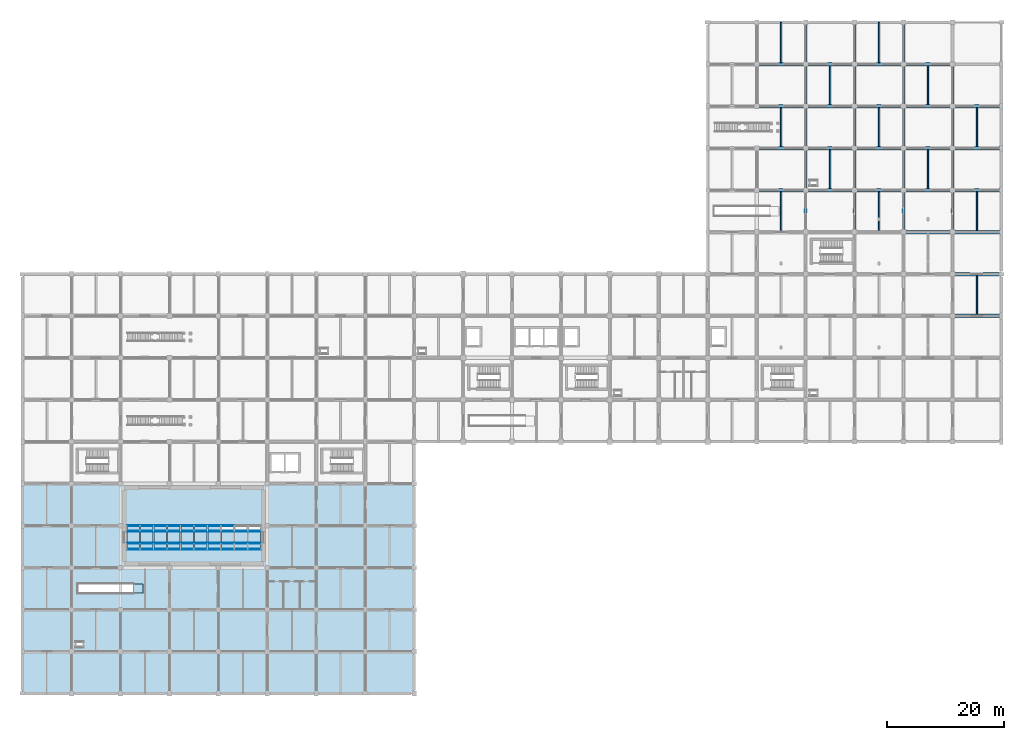
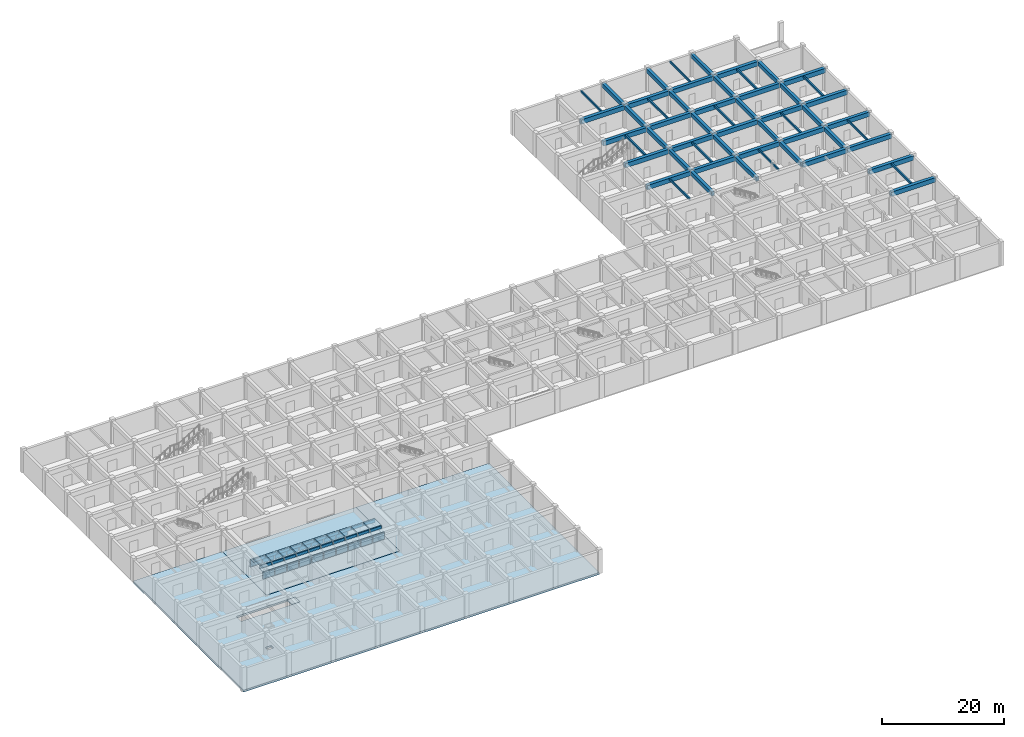
# One storey, part 13 of 32: 65 plates, 55 beams, 3 slabs.
"""IFC4 building model written with IfcOpenShell, lengths in metres."""

from ifc_helpers import new_model, si_unit, derived_unit, direction, frame, origin, origin_2d, place, context, subcontext, project, spatial, polyline, rectangle, outline, extrude, material, layer, layer_set, material_profile, profile_set, type_object, element, save


model = new_model("IFC4")

# Units and contexts
model_context = context("Model", 3, precision=1e-05, world=origin(), true_north=direction((0.0, 1.0)))
body_context = subcontext(model_context, "Body", "Model", "MODEL_VIEW")
ifc_project = project(units=[si_unit("LENGTHUNIT", "METRE"), si_unit("AREAUNIT", "SQUARE_METRE"), si_unit("VOLUMEUNIT", "CUBIC_METRE"), si_unit("PLANEANGLEUNIT", "RADIAN"), si_unit("MASSUNIT", "GRAM", prefix="KILO"), derived_unit("THERMALTRANSMITTANCEUNIT", [(si_unit("MASSUNIT", "GRAM", prefix="KILO"), 1), (si_unit("TIMEUNIT", "SECOND"), -3), (si_unit("THERMODYNAMICTEMPERATUREUNIT", "KELVIN"), -1)])], contexts=[model_context])

# Site, building, storey
site_placement = place(None, origin())
site = spatial("IfcSite", under=ifc_project, at=site_placement, CompositionType="ELEMENT")
building_placement = place(site_placement, origin())
building = spatial("IfcBuilding", under=site, at=building_placement, Name="Veldstrom Oceanarium and Marine Research Institute", CompositionType="ELEMENT")
storey_placement = place(building_placement, frame((0.0, 0.0, -4.800048828125)))
storey = spatial("IfcBuildingStorey", under=building, at=storey_placement, Name="B01", CompositionType="ELEMENT", Elevation=-4.800048828125)

# Beams
ifc_material_1 = material(Name="Concrete C40/50", Category="concrete")
ifc_material_profile_1 = material_profile(ifc_material_1, rectangle(XDim=0.60009765625, YDim=0.89990234375, at=origin_2d()), Name="RC-BM-600x900")
ifc_profile_set_1 = profile_set([ifc_material_profile_1], Name="Concrete C40/50")
beam_type_1 = type_object("IfcBeamType", Name="STR-BM-B01", PredefinedType="BEAM", material=ifc_profile_set_1)
for number, where, z_axis, x_axis, name in (
    (1, (126.0, 86.39990234375, 3.9951171875), (1.0, 0.0, 0.0), (0.0, 1.0, 0.0), "Primary Beam B01 B01-0462"),
    (2, (126.0, 93.60009765625, 3.9951171875), (1.0, 0.0, 0.0), (0.0, 1.0, 0.0), "Primary Beam B01 B01-0463"),
    (3, (126.0, 100.800048828125, 3.9951171875), (1.0, 0.0, 0.0), (0.0, 1.0, 0.0), "Primary Beam B01 B01-0464"),
    (4, (126.0, 108.0, 3.9951171875), (1.0, 0.0, 0.0), (0.0, 1.0, 0.0), "Primary Beam B01 B01-0465"),
):
    element("IfcBeam", number, at=place(storey_placement, frame(where, z_axis=z_axis, x_axis=x_axis)), inside=storey, type_object=beam_type_1, Name=name, PredefinedType="BEAM", context=body_context, shape_type="SweptSolid", body=[
        extrude(rectangle(XDim=0.60009765625, YDim=0.89990234375, at=origin_2d()), origin(), (0.0, 0.0, 1.0), 8.39990234375),
    ])
for number, where, z_axis, x_axis, name in (
    (5, (134.39990234375, 86.39990234375, 3.9951171875), (1.0, 0.0, 0.0), (0.0, 1.0, 0.0), "Primary Beam B01 B01-0471"),
    (6, (134.39990234375, 93.60009765625, 3.9951171875), (1.0, 0.0, 0.0), (0.0, 1.0, 0.0), "Primary Beam B01 B01-0472"),
    (7, (134.39990234375, 100.800048828125, 3.9951171875), (1.0, 0.0, 0.0), (0.0, 1.0, 0.0), "Primary Beam B01 B01-0473"),
    (8, (134.39990234375, 108.0, 3.9951171875), (1.0, 0.0, 0.0), (0.0, 1.0, 0.0), "Primary Beam B01 B01-0474"),
):
    element("IfcBeam", number, at=place(storey_placement, frame(where, z_axis=z_axis, x_axis=x_axis)), inside=storey, type_object=beam_type_1, Name=name, PredefinedType="BEAM", context=body_context, shape_type="SweptSolid", body=[
        extrude(rectangle(XDim=0.60009765625, YDim=0.89990234375, at=origin_2d()), origin(), (0.0, 0.0, 1.0), 8.400146484375),
    ])
for number, where, z_axis, x_axis, name in (
    (9, (142.800048828125, 86.39990234375, 3.9951171875), (1.0, 0.0, 0.0), (0.0, 1.0, 0.0), "Primary Beam B01 B01-0480"),
    (10, (142.800048828125, 93.60009765625, 3.9951171875), (1.0, 0.0, 0.0), (0.0, 1.0, 0.0), "Primary Beam B01 B01-0481"),
    (11, (142.800048828125, 100.800048828125, 3.9951171875), (1.0, 0.0, 0.0), (0.0, 1.0, 0.0), "Primary Beam B01 B01-0482"),
    (12, (142.800048828125, 108.0, 3.9951171875), (1.0, 0.0, 0.0), (0.0, 1.0, 0.0), "Primary Beam B01 B01-0483"),
):
    element("IfcBeam", number, at=place(storey_placement, frame(where, z_axis=z_axis, x_axis=x_axis)), inside=storey, type_object=beam_type_1, Name=name, PredefinedType="BEAM", context=body_context, shape_type="SweptSolid", body=[
        extrude(rectangle(XDim=0.60009765625, YDim=0.89990234375, at=origin_2d()), origin(), (0.0, 0.0, 1.0), 8.39990234375),
    ])
for number, where, z_axis, x_axis, name in (
    (13, (151.199951171875, 79.199951171875, 3.9951171875), (1.0, 0.0, 0.0), (0.0, 1.0, 0.0), "Primary Beam B01 B01-0488"),
    (14, (151.199951171875, 86.39990234375, 3.9951171875), (1.0, 0.0, 0.0), (0.0, 1.0, 0.0), "Primary Beam B01 B01-0489"),
    (15, (151.199951171875, 93.60009765625, 3.9951171875), (1.0, 0.0, 0.0), (0.0, 1.0, 0.0), "Primary Beam B01 B01-0490"),
    (16, (151.199951171875, 100.800048828125, 3.9951171875), (1.0, 0.0, 0.0), (0.0, 1.0, 0.0), "Primary Beam B01 B01-0491"),
    (17, (151.199951171875, 108.0, 3.9951171875), (1.0, 0.0, 0.0), (0.0, 1.0, 0.0), "Primary Beam B01 B01-0492"),
):
    element("IfcBeam", number, at=place(storey_placement, frame(where, z_axis=z_axis, x_axis=x_axis)), inside=storey, type_object=beam_type_1, Name=name, PredefinedType="BEAM", context=body_context, shape_type="SweptSolid", body=[
        extrude(rectangle(XDim=0.60009765625, YDim=0.89990234375, at=origin_2d()), origin(), (0.0, 0.0, 1.0), 8.400146484375),
    ])
for number, where, z_axis, x_axis, name in (
    (18, (159.60009765625, 64.800048828125, 3.9951171875), (1.0, 0.0, 0.0), (0.0, 1.0, 0.0), "Primary Beam B01 B01-0495"),
    (19, (159.60009765625, 72.0, 3.9951171875), (1.0, 0.0, 0.0), (0.0, 1.0, 0.0), "Primary Beam B01 B01-0496"),
    (20, (159.60009765625, 79.199951171875, 3.9951171875), (1.0, 0.0, 0.0), (0.0, 1.0, 0.0), "Primary Beam B01 B01-0497"),
    (21, (159.60009765625, 86.39990234375, 3.9951171875), (1.0, 0.0, 0.0), (0.0, 1.0, 0.0), "Primary Beam B01 B01-0498"),
    (22, (159.60009765625, 93.60009765625, 3.9951171875), (1.0, 0.0, 0.0), (0.0, 1.0, 0.0), "Primary Beam B01 B01-0499"),
    (23, (159.60009765625, 100.800048828125, 3.9951171875), (1.0, 0.0, 0.0), (0.0, 1.0, 0.0), "Primary Beam B01 B01-0500"),
):
    element("IfcBeam", number, at=place(storey_placement, frame(where, z_axis=z_axis, x_axis=x_axis)), inside=storey, type_object=beam_type_1, Name=name, PredefinedType="BEAM", context=body_context, shape_type="SweptSolid", body=[
        extrude(rectangle(XDim=0.60009765625, YDim=0.89990234375, at=origin_2d()), origin(), (0.0, 0.0, 1.0), 8.39990234375),
    ])
ifc_material_2 = material(Name="Concrete C40/50", Category="concrete")
ifc_material_profile_2 = material_profile(ifc_material_2, rectangle(XDim=0.550048828125, YDim=0.800048828125, at=origin_2d()), Name="RC-BM-550x800")
ifc_profile_set_2 = profile_set([ifc_material_profile_2], Name="Concrete C40/50")
beam_type_2 = type_object("IfcBeamType", Name="STR-BM-B02", PredefinedType="BEAM", material=ifc_profile_set_2)
beam_1_placement = place(storey_placement, frame((134.39990234375, 79.199951171875, 4.045166015625), z_axis=(0.0, 1.0, 0.0), x_axis=(-1.0, 0.0, 0.0)))
element("IfcBeam", 24, at=beam_1_placement, inside=storey, type_object=beam_type_2, Name="Primary Beam B02 B01-0610", PredefinedType="BEAM", context=body_context, shape_type="SweptSolid", body=[
    extrude(rectangle(XDim=0.550048828125, YDim=0.800048828125, at=origin_2d()), origin(), (0.0, 0.0, 1.0), 7.199951171875),
])
beam_2_placement = place(storey_placement, frame((134.39990234375, 86.39990234375, 4.045166015625), z_axis=(0.0, 1.0, 0.0), x_axis=(-1.0, 0.0, 0.0)))
element("IfcBeam", 25, at=beam_2_placement, inside=storey, type_object=beam_type_2, Name="Primary Beam B02 B01-0611", PredefinedType="BEAM", context=body_context, shape_type="SweptSolid", body=[
    extrude(rectangle(XDim=0.550048828125, YDim=0.800048828125, at=origin_2d()), origin(), (0.0, 0.0, 1.0), 7.2001953125),
])
for number, where, z_axis, x_axis, name in (
    (26, (134.39990234375, 93.60009765625, 4.045166015625), (0.0, 1.0, 0.0), (-1.0, 0.0, 0.0), "Primary Beam B02 B01-0612"),
    (27, (134.39990234375, 100.800048828125, 4.045166015625), (0.0, 1.0, 0.0), (-1.0, 0.0, 0.0), "Primary Beam B02 B01-0613"),
    (28, (134.39990234375, 108.0, 4.045166015625), (0.0, 1.0, 0.0), (-1.0, 0.0, 0.0), "Primary Beam B02 B01-0614"),
    (29, (142.800048828125, 79.199951171875, 4.045166015625), (0.0, 1.0, 0.0), (-1.0, 0.0, 0.0), "Primary Beam B02 B01-0620"),
):
    element("IfcBeam", number, at=place(storey_placement, frame(where, z_axis=z_axis, x_axis=x_axis)), inside=storey, type_object=beam_type_2, Name=name, PredefinedType="BEAM", context=body_context, shape_type="SweptSolid", body=[
        extrude(rectangle(XDim=0.550048828125, YDim=0.800048828125, at=origin_2d()), origin(), (0.0, 0.0, 1.0), 7.199951171875),
    ])
beam_3_placement = place(storey_placement, frame((142.800048828125, 86.39990234375, 4.045166015625), z_axis=(0.0, 1.0, 0.0), x_axis=(-1.0, 0.0, 0.0)))
element("IfcBeam", 30, at=beam_3_placement, inside=storey, type_object=beam_type_2, Name="Primary Beam B02 B01-0621", PredefinedType="BEAM", context=body_context, shape_type="SweptSolid", body=[
    extrude(rectangle(XDim=0.550048828125, YDim=0.800048828125, at=origin_2d()), origin(), (0.0, 0.0, 1.0), 7.2001953125),
])
for number, where, z_axis, x_axis, name in (
    (31, (142.800048828125, 93.60009765625, 4.045166015625), (0.0, 1.0, 0.0), (-1.0, 0.0, 0.0), "Primary Beam B02 B01-0622"),
    (32, (142.800048828125, 100.800048828125, 4.045166015625), (0.0, 1.0, 0.0), (-1.0, 0.0, 0.0), "Primary Beam B02 B01-0623"),
    (33, (142.800048828125, 108.0, 4.045166015625), (0.0, 1.0, 0.0), (-1.0, 0.0, 0.0), "Primary Beam B02 B01-0624"),
    (34, (151.199951171875, 79.199951171875, 4.045166015625), (0.0, 1.0, 0.0), (-1.0, 0.0, 0.0), "Primary Beam B02 B01-0630"),
):
    element("IfcBeam", number, at=place(storey_placement, frame(where, z_axis=z_axis, x_axis=x_axis)), inside=storey, type_object=beam_type_2, Name=name, PredefinedType="BEAM", context=body_context, shape_type="SweptSolid", body=[
        extrude(rectangle(XDim=0.550048828125, YDim=0.800048828125, at=origin_2d()), origin(), (0.0, 0.0, 1.0), 7.199951171875),
    ])
beam_4_placement = place(storey_placement, frame((151.199951171875, 86.39990234375, 4.045166015625), z_axis=(0.0, 1.0, 0.0), x_axis=(-1.0, 0.0, 0.0)))
element("IfcBeam", 35, at=beam_4_placement, inside=storey, type_object=beam_type_2, Name="Primary Beam B02 B01-0631", PredefinedType="BEAM", context=body_context, shape_type="SweptSolid", body=[
    extrude(rectangle(XDim=0.550048828125, YDim=0.800048828125, at=origin_2d()), origin(), (0.0, 0.0, 1.0), 7.2001953125),
])
for number, where, z_axis, x_axis, name in (
    (36, (151.199951171875, 93.60009765625, 4.045166015625), (0.0, 1.0, 0.0), (-1.0, 0.0, 0.0), "Primary Beam B02 B01-0632"),
    (37, (151.199951171875, 100.800048828125, 4.045166015625), (0.0, 1.0, 0.0), (-1.0, 0.0, 0.0), "Primary Beam B02 B01-0633"),
    (38, (151.199951171875, 108.0, 4.045166015625), (0.0, 1.0, 0.0), (-1.0, 0.0, 0.0), "Primary Beam B02 B01-0634"),
    (39, (159.60009765625, 79.199951171875, 4.045166015625), (0.0, 1.0, 0.0), (-1.0, 0.0, 0.0), "Primary Beam B02 B01-0640"),
):
    element("IfcBeam", number, at=place(storey_placement, frame(where, z_axis=z_axis, x_axis=x_axis)), inside=storey, type_object=beam_type_2, Name=name, PredefinedType="BEAM", context=body_context, shape_type="SweptSolid", body=[
        extrude(rectangle(XDim=0.550048828125, YDim=0.800048828125, at=origin_2d()), origin(), (0.0, 0.0, 1.0), 7.199951171875),
    ])
beam_5_placement = place(storey_placement, frame((159.60009765625, 86.39990234375, 4.045166015625), z_axis=(0.0, 1.0, 0.0), x_axis=(-1.0, 0.0, 0.0)))
element("IfcBeam", 40, at=beam_5_placement, inside=storey, type_object=beam_type_2, Name="Primary Beam B02 B01-0641", PredefinedType="BEAM", context=body_context, shape_type="SweptSolid", body=[
    extrude(rectangle(XDim=0.550048828125, YDim=0.800048828125, at=origin_2d()), origin(), (0.0, 0.0, 1.0), 7.2001953125),
])
for number, where, z_axis, x_axis, name in (
    (41, (159.60009765625, 93.60009765625, 4.045166015625), (0.0, 1.0, 0.0), (-1.0, 0.0, 0.0), "Primary Beam B02 B01-0642"),
    (42, (159.60009765625, 100.800048828125, 4.045166015625), (0.0, 1.0, 0.0), (-1.0, 0.0, 0.0), "Primary Beam B02 B01-0643"),
):
    element("IfcBeam", number, at=place(storey_placement, frame(where, z_axis=z_axis, x_axis=x_axis)), inside=storey, type_object=beam_type_2, Name=name, PredefinedType="BEAM", context=body_context, shape_type="SweptSolid", body=[
        extrude(rectangle(XDim=0.550048828125, YDim=0.800048828125, at=origin_2d()), origin(), (0.0, 0.0, 1.0), 7.199951171875),
    ])
ifc_material_3 = material(Name="Concrete C40/50", Category="concrete")
ifc_material_profile_3 = material_profile(ifc_material_3, rectangle(XDim=0.25, YDim=0.39990234375, at=origin_2d()), Name="RC-JST-250x400")
ifc_profile_set_3 = profile_set([ifc_material_profile_3], Name="Concrete C40/50")
beam_type_3 = type_object("IfcBeamType", Name="STR-JST-J02", PredefinedType="JOIST", material=ifc_profile_set_3)
for number, where, z_axis, x_axis, name in (
    (43, (130.199951171875, 79.5, 4.2451171875), (0.0, 1.0, 0.0), (-1.0, 0.0, 0.0), "Secondary Joist J02 B01-0694"),
    (44, (130.199951171875, 93.89990234375, 4.2451171875), (0.0, 1.0, 0.0), (-1.0, 0.0, 0.0), "Secondary Joist J02 B01-0695"),
):
    element("IfcBeam", number, at=place(storey_placement, frame(where, z_axis=z_axis, x_axis=x_axis)), inside=storey, type_object=beam_type_3, Name=name, PredefinedType="JOIST", context=body_context, shape_type="SweptSolid", body=[
        extrude(rectangle(XDim=0.25, YDim=0.39990234375, at=origin_2d()), origin(), (0.0, 0.0, 1.0), 6.60009765625),
    ])
beam_6_placement = place(storey_placement, frame((130.199951171875, 108.300048828125, 4.2451171875), z_axis=(0.0, 1.0, 0.0), x_axis=(-1.0, 0.0, 0.0)))
element("IfcBeam", 45, at=beam_6_placement, inside=storey, type_object=beam_type_3, Name="Secondary Joist J02 B01-0696", PredefinedType="JOIST", context=body_context, shape_type="SweptSolid", body=[
    extrude(rectangle(XDim=0.25, YDim=0.39990234375, at=origin_2d()), origin(), (0.0, 0.0, 1.0), 6.89990234375),
])
beam_7_placement = place(storey_placement, frame((138.60009765625, 86.699951171875, 4.2451171875), z_axis=(0.0, 1.0, 0.0), x_axis=(-1.0, 0.0, 0.0)))
element("IfcBeam", 46, at=beam_7_placement, inside=storey, type_object=beam_type_3, Name="Secondary Joist J02 B01-0699", PredefinedType="JOIST", context=body_context, shape_type="SweptSolid", body=[
    extrude(rectangle(XDim=0.25, YDim=0.39990234375, at=origin_2d()), origin(), (0.0, 0.0, 1.0), 6.60009765625),
])
beam_8_placement = place(storey_placement, frame((138.60009765625, 101.10009765625, 4.2451171875), z_axis=(0.0, 1.0, 0.0), x_axis=(-1.0, 0.0, 0.0)))
element("IfcBeam", 47, at=beam_8_placement, inside=storey, type_object=beam_type_3, Name="Secondary Joist J02 B01-0700", PredefinedType="JOIST", context=body_context, shape_type="SweptSolid", body=[
    extrude(rectangle(XDim=0.25, YDim=0.39990234375, at=origin_2d()), origin(), (0.0, 0.0, 1.0), 6.599853515625),
])
for number, where, z_axis, x_axis, name in (
    (48, (147.0, 79.5, 4.2451171875), (0.0, 1.0, 0.0), (-1.0, 0.0, 0.0), "Secondary Joist J02 B01-0703"),
    (49, (147.0, 93.89990234375, 4.2451171875), (0.0, 1.0, 0.0), (-1.0, 0.0, 0.0), "Secondary Joist J02 B01-0704"),
):
    element("IfcBeam", number, at=place(storey_placement, frame(where, z_axis=z_axis, x_axis=x_axis)), inside=storey, type_object=beam_type_3, Name=name, PredefinedType="JOIST", context=body_context, shape_type="SweptSolid", body=[
        extrude(rectangle(XDim=0.25, YDim=0.39990234375, at=origin_2d()), origin(), (0.0, 0.0, 1.0), 6.60009765625),
    ])
beam_9_placement = place(storey_placement, frame((147.0, 108.300048828125, 4.2451171875), z_axis=(0.0, 1.0, 0.0), x_axis=(-1.0, 0.0, 0.0)))
element("IfcBeam", 50, at=beam_9_placement, inside=storey, type_object=beam_type_3, Name="Secondary Joist J02 B01-0705", PredefinedType="JOIST", context=body_context, shape_type="SweptSolid", body=[
    extrude(rectangle(XDim=0.25, YDim=0.39990234375, at=origin_2d()), origin(), (0.0, 0.0, 1.0), 6.89990234375),
])
beam_10_placement = place(storey_placement, frame((155.39990234375, 86.699951171875, 4.2451171875), z_axis=(0.0, 1.0, 0.0), x_axis=(-1.0, 0.0, 0.0)))
element("IfcBeam", 51, at=beam_10_placement, inside=storey, type_object=beam_type_3, Name="Secondary Joist J02 B01-0709", PredefinedType="JOIST", context=body_context, shape_type="SweptSolid", body=[
    extrude(rectangle(XDim=0.25, YDim=0.39990234375, at=origin_2d()), origin(), (0.0, 0.0, 1.0), 6.60009765625),
])
for number, where, z_axis, x_axis, name in (
    (52, (155.39990234375, 101.10009765625, 4.2451171875), (0.0, 1.0, 0.0), (-1.0, 0.0, 0.0), "Secondary Joist J02 B01-0710"),
    (53, (163.800048828125, 65.10009765625, 4.2451171875), (0.0, 1.0, 0.0), (-1.0, 0.0, 0.0), "Secondary Joist J02 B01-0712"),
):
    element("IfcBeam", number, at=place(storey_placement, frame(where, z_axis=z_axis, x_axis=x_axis)), inside=storey, type_object=beam_type_3, Name=name, PredefinedType="JOIST", context=body_context, shape_type="SweptSolid", body=[
        extrude(rectangle(XDim=0.25, YDim=0.39990234375, at=origin_2d()), origin(), (0.0, 0.0, 1.0), 6.599853515625),
    ])
for number, where, z_axis, x_axis, name in (
    (54, (163.800048828125, 79.5, 4.2451171875), (0.0, 1.0, 0.0), (-1.0, 0.0, 0.0), "Secondary Joist J02 B01-0713"),
    (55, (163.800048828125, 93.89990234375, 4.2451171875), (0.0, 1.0, 0.0), (-1.0, 0.0, 0.0), "Secondary Joist J02 B01-0714"),
):
    element("IfcBeam", number, at=place(storey_placement, frame(where, z_axis=z_axis, x_axis=x_axis)), inside=storey, type_object=beam_type_3, Name=name, PredefinedType="JOIST", context=body_context, shape_type="SweptSolid", body=[
        extrude(rectangle(XDim=0.25, YDim=0.39990234375, at=origin_2d()), origin(), (0.0, 0.0, 1.0), 6.60009765625),
    ])

# Plates
ifc_material_4 = material(Name="Cast Acrylic PMMA", Category="glass")
ifc_layer_1 = layer(ifc_material_4, 0.159912109375)
ifc_layer_set_1 = layer_set([ifc_layer_1], Name="ARC-PLT-AT1")
plate_type_1 = type_object("IfcPlateType", Name="ARC-PLT-AT1", PredefinedType="SHEET", material=ifc_layer_set_1)
for number, where, z_axis, x_axis, name in (
    (56, (19.0048828125, 24.77490234375, 0.89990234375), (0.0, 0.0, 1.0), (1.0, 0.0, 0.0), "Walkthrough Acrylic Tunnel Panel AT-001"),
    (57, (19.0048828125, 28.824951171875, 0.89990234375), (0.0, 0.0, 1.0), (1.0, 0.0, 0.0), "Walkthrough Acrylic Tunnel Panel AT-002"),
    (58, (21.31494140625, 24.77490234375, 0.89990234375), (0.0, 0.0, 1.0), (1.0, 0.0, 0.0), "Walkthrough Acrylic Tunnel Panel AT-008"),
    (59, (21.31494140625, 28.824951171875, 0.89990234375), (0.0, 0.0, 1.0), (1.0, 0.0, 0.0), "Walkthrough Acrylic Tunnel Panel AT-009"),
    (60, (23.625, 24.77490234375, 0.89990234375), (0.0, 0.0, 1.0), (1.0, 0.0, 0.0), "Walkthrough Acrylic Tunnel Panel AT-015"),
    (61, (23.625, 28.824951171875, 0.89990234375), (0.0, 0.0, 1.0), (1.0, 0.0, 0.0), "Walkthrough Acrylic Tunnel Panel AT-016"),
    (62, (25.93505859375, 24.77490234375, 0.89990234375), (0.0, 0.0, 1.0), (1.0, 0.0, 0.0), "Walkthrough Acrylic Tunnel Panel AT-022"),
    (63, (25.93505859375, 28.824951171875, 0.89990234375), (0.0, 0.0, 1.0), (1.0, 0.0, 0.0), "Walkthrough Acrylic Tunnel Panel AT-023"),
    (64, (28.2451171875, 24.77490234375, 0.89990234375), (0.0, 0.0, 1.0), (1.0, 0.0, 0.0), "Walkthrough Acrylic Tunnel Panel AT-029"),
    (65, (28.2451171875, 28.824951171875, 0.89990234375), (0.0, 0.0, 1.0), (1.0, 0.0, 0.0), "Walkthrough Acrylic Tunnel Panel AT-030"),
    (66, (30.554931640625, 24.77490234375, 0.89990234375), (0.0, 0.0, 1.0), (1.0, 0.0, 0.0), "Walkthrough Acrylic Tunnel Panel AT-036"),
    (67, (30.554931640625, 28.824951171875, 0.89990234375), (0.0, 0.0, 1.0), (1.0, 0.0, 0.0), "Walkthrough Acrylic Tunnel Panel AT-037"),
    (68, (32.864990234375, 24.77490234375, 0.89990234375), (0.0, 0.0, 1.0), (1.0, 0.0, 0.0), "Walkthrough Acrylic Tunnel Panel AT-043"),
    (69, (32.864990234375, 28.824951171875, 0.89990234375), (0.0, 0.0, 1.0), (1.0, 0.0, 0.0), "Walkthrough Acrylic Tunnel Panel AT-044"),
    (70, (35.175048828125, 24.77490234375, 0.89990234375), (0.0, 0.0, 1.0), (1.0, 0.0, 0.0), "Walkthrough Acrylic Tunnel Panel AT-050"),
    (71, (35.175048828125, 28.824951171875, 0.89990234375), (0.0, 0.0, 1.0), (1.0, 0.0, 0.0), "Walkthrough Acrylic Tunnel Panel AT-051"),
    (72, (37.485107421875, 24.77490234375, 0.89990234375), (0.0, 0.0, 1.0), (1.0, 0.0, 0.0), "Walkthrough Acrylic Tunnel Panel AT-057"),
    (73, (39.794921875, 24.77490234375, 0.89990234375), (0.0, 0.0, 1.0), (1.0, 0.0, 0.0), "Walkthrough Acrylic Tunnel Panel AT-064"),
):
    element("IfcPlate", number, at=place(storey_placement, frame(where, z_axis=z_axis, x_axis=x_axis)), inside=storey, type_object=plate_type_1, Name=name, PredefinedType="SHEET", context=body_context, shape_type="SweptSolid", body=[
        extrude(rectangle(XDim=2.14990234375, YDim=0.159912109375, at=origin_2d()), origin(), (0.0, 0.0, 1.0), 1.35009765625),
    ])
ifc_material_5 = material(Name="Cast Acrylic PMMA", Category="glass")
ifc_layer_2 = layer(ifc_material_5, 0.159912109375)
ifc_layer_set_2 = layer_set([ifc_layer_2], Name="ARC-PLT-AT2")
plate_type_2 = type_object("IfcPlateType", Name="ARC-PLT-AT2", PredefinedType="SHEET", material=ifc_layer_set_2)
for number, where, z_axis, x_axis, name in (
    (74, (19.0048828125, 25.262451171875, 2.25), (0.0, 0.0, 1.0), (1.0, 0.0, 0.0), "Walkthrough Acrylic Tunnel Panel AT-003"),
    (75, (19.0048828125, 28.33740234375, 2.25), (0.0, 0.0, 1.0), (1.0, 0.0, 0.0), "Walkthrough Acrylic Tunnel Panel AT-004"),
    (76, (21.31494140625, 25.262451171875, 2.25), (0.0, 0.0, 1.0), (1.0, 0.0, 0.0), "Walkthrough Acrylic Tunnel Panel AT-010"),
    (77, (21.31494140625, 28.33740234375, 2.25), (0.0, 0.0, 1.0), (1.0, 0.0, 0.0), "Walkthrough Acrylic Tunnel Panel AT-011"),
    (78, (23.625, 25.262451171875, 2.25), (0.0, 0.0, 1.0), (1.0, 0.0, 0.0), "Walkthrough Acrylic Tunnel Panel AT-017"),
    (79, (23.625, 28.33740234375, 2.25), (0.0, 0.0, 1.0), (1.0, 0.0, 0.0), "Walkthrough Acrylic Tunnel Panel AT-018"),
    (80, (25.93505859375, 25.262451171875, 2.25), (0.0, 0.0, 1.0), (1.0, 0.0, 0.0), "Walkthrough Acrylic Tunnel Panel AT-024"),
    (81, (25.93505859375, 28.33740234375, 2.25), (0.0, 0.0, 1.0), (1.0, 0.0, 0.0), "Walkthrough Acrylic Tunnel Panel AT-025"),
    (82, (28.2451171875, 25.262451171875, 2.25), (0.0, 0.0, 1.0), (1.0, 0.0, 0.0), "Walkthrough Acrylic Tunnel Panel AT-031"),
    (83, (28.2451171875, 28.33740234375, 2.25), (0.0, 0.0, 1.0), (1.0, 0.0, 0.0), "Walkthrough Acrylic Tunnel Panel AT-032"),
    (84, (30.554931640625, 25.262451171875, 2.25), (0.0, 0.0, 1.0), (1.0, 0.0, 0.0), "Walkthrough Acrylic Tunnel Panel AT-038"),
    (85, (30.554931640625, 28.33740234375, 2.25), (0.0, 0.0, 1.0), (1.0, 0.0, 0.0), "Walkthrough Acrylic Tunnel Panel AT-039"),
    (86, (32.864990234375, 25.262451171875, 2.25), (0.0, 0.0, 1.0), (1.0, 0.0, 0.0), "Walkthrough Acrylic Tunnel Panel AT-045"),
    (87, (32.864990234375, 28.33740234375, 2.25), (0.0, 0.0, 1.0), (1.0, 0.0, 0.0), "Walkthrough Acrylic Tunnel Panel AT-046"),
    (88, (35.175048828125, 25.262451171875, 2.25), (0.0, 0.0, 1.0), (1.0, 0.0, 0.0), "Walkthrough Acrylic Tunnel Panel AT-052"),
    (89, (37.485107421875, 25.262451171875, 2.25), (0.0, 0.0, 1.0), (1.0, 0.0, 0.0), "Walkthrough Acrylic Tunnel Panel AT-059"),
    (90, (39.794921875, 25.262451171875, 2.25), (0.0, 0.0, 1.0), (1.0, 0.0, 0.0), "Walkthrough Acrylic Tunnel Panel AT-066"),
):
    element("IfcPlate", number, at=place(storey_placement, frame(where, z_axis=z_axis, x_axis=x_axis)), inside=storey, type_object=plate_type_2, Name=name, PredefinedType="SHEET", context=body_context, shape_type="SweptSolid", body=[
        extrude(rectangle(XDim=2.14990234375, YDim=1.135009765625, at=origin_2d()), origin(), (0.0, 0.0, 1.0), 0.159912109375),
    ])
ifc_material_6 = material(Name="Cast Acrylic PMMA", Category="glass")
ifc_layer_3 = layer(ifc_material_6, 0.159912109375)
ifc_layer_set_3 = layer_set([ifc_layer_3], Name="ARC-PLT-AT3")
plate_type_3 = type_object("IfcPlateType", Name="ARC-PLT-AT3", PredefinedType="SHEET", material=ifc_layer_set_3)
for number, where, z_axis, x_axis, name in (
    (91, (19.0048828125, 26.800048828125, 2.97021484375), (0.0, 0.0, 1.0), (1.0, 0.0, 0.0), "Walkthrough Acrylic Tunnel Panel AT-005"),
    (92, (21.31494140625, 26.800048828125, 2.97021484375), (0.0, 0.0, 1.0), (1.0, 0.0, 0.0), "Walkthrough Acrylic Tunnel Panel AT-012"),
    (93, (23.625, 26.800048828125, 2.97021484375), (0.0, 0.0, 1.0), (1.0, 0.0, 0.0), "Walkthrough Acrylic Tunnel Panel AT-019"),
    (94, (25.93505859375, 26.800048828125, 2.97021484375), (0.0, 0.0, 1.0), (1.0, 0.0, 0.0), "Walkthrough Acrylic Tunnel Panel AT-026"),
    (95, (28.2451171875, 26.800048828125, 2.97021484375), (0.0, 0.0, 1.0), (1.0, 0.0, 0.0), "Walkthrough Acrylic Tunnel Panel AT-033"),
    (96, (30.554931640625, 26.800048828125, 2.97021484375), (0.0, 0.0, 1.0), (1.0, 0.0, 0.0), "Walkthrough Acrylic Tunnel Panel AT-040"),
    (97, (32.864990234375, 26.800048828125, 2.97021484375), (0.0, 0.0, 1.0), (1.0, 0.0, 0.0), "Walkthrough Acrylic Tunnel Panel AT-047"),
    (98, (35.175048828125, 26.800048828125, 2.97021484375), (0.0, 0.0, 1.0), (1.0, 0.0, 0.0), "Walkthrough Acrylic Tunnel Panel AT-054"),
    (99, (37.485107421875, 26.800048828125, 2.97021484375), (0.0, 0.0, 1.0), (1.0, 0.0, 0.0), "Walkthrough Acrylic Tunnel Panel AT-061"),
    (100, (39.794921875, 26.800048828125, 2.97021484375), (0.0, 0.0, 1.0), (1.0, 0.0, 0.0), "Walkthrough Acrylic Tunnel Panel AT-068"),
):
    element("IfcPlate", number, at=place(storey_placement, frame(where, z_axis=z_axis, x_axis=x_axis)), inside=storey, type_object=plate_type_3, Name=name, PredefinedType="SHEET", context=body_context, shape_type="SweptSolid", body=[
        extrude(rectangle(XDim=2.14990234375, YDim=2.260009765625, at=origin_2d()), origin(), (0.0, 0.0, 1.0), 0.159912109375),
    ])
ifc_material_7 = material(Name="Cast Acrylic PMMA", Category="glass")
ifc_layer_4 = layer(ifc_material_7, 0.159912109375)
ifc_layer_set_4 = layer_set([ifc_layer_4], Name="ARC-PLT-AT4")
plate_type_4 = type_object("IfcPlateType", Name="ARC-PLT-AT4", PredefinedType="SHEET", material=ifc_layer_set_4)
for number, where, z_axis, x_axis, name in (
    (101, (19.0048828125, 25.75, 2.409912109375), (0.0, 0.0, 1.0), (1.0, 0.0, 0.0), "Walkthrough Acrylic Tunnel Panel AT-006"),
    (102, (19.0048828125, 27.85009765625, 2.409912109375), (0.0, 0.0, 1.0), (1.0, 0.0, 0.0), "Walkthrough Acrylic Tunnel Panel AT-007"),
    (103, (21.31494140625, 25.75, 2.409912109375), (0.0, 0.0, 1.0), (1.0, 0.0, 0.0), "Walkthrough Acrylic Tunnel Panel AT-013"),
    (104, (21.31494140625, 27.85009765625, 2.409912109375), (0.0, 0.0, 1.0), (1.0, 0.0, 0.0), "Walkthrough Acrylic Tunnel Panel AT-014"),
    (105, (23.625, 25.75, 2.409912109375), (0.0, 0.0, 1.0), (1.0, 0.0, 0.0), "Walkthrough Acrylic Tunnel Panel AT-020"),
    (106, (23.625, 27.85009765625, 2.409912109375), (0.0, 0.0, 1.0), (1.0, 0.0, 0.0), "Walkthrough Acrylic Tunnel Panel AT-021"),
    (107, (25.93505859375, 25.75, 2.409912109375), (0.0, 0.0, 1.0), (1.0, 0.0, 0.0), "Walkthrough Acrylic Tunnel Panel AT-027"),
    (108, (25.93505859375, 27.85009765625, 2.409912109375), (0.0, 0.0, 1.0), (1.0, 0.0, 0.0), "Walkthrough Acrylic Tunnel Panel AT-028"),
    (109, (28.2451171875, 25.75, 2.409912109375), (0.0, 0.0, 1.0), (1.0, 0.0, 0.0), "Walkthrough Acrylic Tunnel Panel AT-034"),
    (110, (28.2451171875, 27.85009765625, 2.409912109375), (0.0, 0.0, 1.0), (1.0, 0.0, 0.0), "Walkthrough Acrylic Tunnel Panel AT-035"),
    (111, (30.554931640625, 25.75, 2.409912109375), (0.0, 0.0, 1.0), (1.0, 0.0, 0.0), "Walkthrough Acrylic Tunnel Panel AT-041"),
    (112, (30.554931640625, 27.85009765625, 2.409912109375), (0.0, 0.0, 1.0), (1.0, 0.0, 0.0), "Walkthrough Acrylic Tunnel Panel AT-042"),
    (113, (32.864990234375, 25.75, 2.409912109375), (0.0, 0.0, 1.0), (1.0, 0.0, 0.0), "Walkthrough Acrylic Tunnel Panel AT-048"),
    (114, (32.864990234375, 27.85009765625, 2.409912109375), (0.0, 0.0, 1.0), (1.0, 0.0, 0.0), "Walkthrough Acrylic Tunnel Panel AT-049"),
    (115, (35.175048828125, 25.75, 2.409912109375), (0.0, 0.0, 1.0), (1.0, 0.0, 0.0), "Walkthrough Acrylic Tunnel Panel AT-055"),
    (116, (35.175048828125, 27.85009765625, 2.409912109375), (0.0, 0.0, 1.0), (1.0, 0.0, 0.0), "Walkthrough Acrylic Tunnel Panel AT-056"),
    (117, (37.485107421875, 25.75, 2.409912109375), (0.0, 0.0, 1.0), (1.0, 0.0, 0.0), "Walkthrough Acrylic Tunnel Panel AT-062"),
    (118, (37.485107421875, 27.85009765625, 2.409912109375), (0.0, 0.0, 1.0), (1.0, 0.0, 0.0), "Walkthrough Acrylic Tunnel Panel AT-063"),
    (119, (39.794921875, 25.75, 2.409912109375), (0.0, 0.0, 1.0), (1.0, 0.0, 0.0), "Walkthrough Acrylic Tunnel Panel AT-069"),
    (120, (39.794921875, 27.85009765625, 2.409912109375), (0.0, 0.0, 1.0), (1.0, 0.0, 0.0), "Walkthrough Acrylic Tunnel Panel AT-070"),
):
    element("IfcPlate", number, at=place(storey_placement, frame(where, z_axis=z_axis, x_axis=x_axis)), inside=storey, type_object=plate_type_4, Name=name, PredefinedType="SHEET", context=body_context, shape_type="SweptSolid", body=[
        extrude(rectangle(XDim=2.14990234375, YDim=0.159912109375, at=origin_2d()), origin(), (0.0, 0.0, 1.0), 0.56005859375),
    ])

# Slabs
ifc_material_8 = material(Name="Concrete C40/50", Category="concrete")
ifc_layer_5 = layer(ifc_material_8, 0.89990234375)
ifc_layer_set_5 = layer_set([ifc_layer_5], Name="STR-SLB-BS0900")
slab_type_1 = type_object("IfcSlabType", Name="STR-SLB-BS0900", PredefinedType="BASESLAB", material=ifc_layer_set_5)
slab_1_placement = place(storey_placement, frame((0.0, 0.0, -0.89990234375)))
element("IfcSlab", 121, at=slab_1_placement, inside=storey, type_object=slab_type_1, Name="Slab SB-900 B01 OT", PredefinedType="BASESLAB", context=body_context, shape_type="SweptSolid", body=[
    extrude(outline(polyline([(33.60009765625, 21.60009765625), (25.199951171875, 21.60009765625), (16.800048828125, 21.60009765625), (16.800048828125, 28.800048828125), (16.800048828125, 36.0), (25.199951171875, 36.0), (33.60009765625, 36.0), (42.0, 36.0), (42.0, 28.800048828125), (42.0, 21.60009765625), (33.60009765625, 21.60009765625)])), origin(), (0.0, 0.0, 1.0), 0.89990234375),
])
ifc_material_9 = material(Name="Concrete C40/50", Category="concrete")
ifc_layer_6 = layer(ifc_material_9, 0.39990234375)
ifc_layer_set_6 = layer_set([ifc_layer_6], Name="STR-SLB-FL0400")
slab_type_2 = type_object("IfcSlabType", Name="STR-SLB-FL0400", PredefinedType="FLOOR", material=ifc_layer_set_6)
slab_2_placement = place(storey_placement, frame((0.0, 0.0, -0.39990234375)))
element("IfcSlab", 122, at=slab_2_placement, inside=storey, type_object=slab_type_2, Name="Slab SF-400 B01 WS", PredefinedType="FLOOR", context=body_context, shape_type="SweptSolid", body=[
    extrude(outline(polyline([(50.39990234375, 36.0), (58.800048828125, 36.0), (67.199951171875, 36.0), (67.199951171875, 28.800048828125), (67.199951171875, 21.60009765625), (67.199951171875, 14.39990234375), (67.199951171875, 7.199951171875), (67.199951171875, 0.0), (58.800048828125, 0.0), (50.39990234375, 0.0), (42.0, 0.0), (33.60009765625, 0.0), (25.199951171875, 0.0), (16.800048828125, 0.0), (8.39990234375, 0.0), (0.0, 0.0), (0.0, 7.199951171875), (0.0, 14.39990234375), (0.0, 21.60009765625), (0.0, 28.800048828125), (0.0, 36.0), (8.39990234375, 36.0), (16.800048828125, 36.0), (16.800048828125, 28.800048828125), (16.800048828125, 21.60009765625), (25.199951171875, 21.60009765625), (33.60009765625, 21.60009765625), (42.0, 21.60009765625), (42.0, 28.800048828125), (42.0, 36.0), (50.39990234375, 36.0)]), holes=[polyline([(20.639892578125, 17.195068359375), (20.639892578125, 18.804931640625), (9.47998046875, 18.804931640625), (9.47998046875, 17.195068359375), (20.639892578125, 17.195068359375)]), polyline([(10.300048828125, 8.800048828125), (9.199951171875, 8.800048828125), (9.199951171875, 8.0), (10.300048828125, 8.0), (10.300048828125, 8.800048828125)])]), origin(), (0.0, 0.0, 1.0), 0.39990234375),
])
ifc_material_10 = material(Name="Concrete C40/50", Category="concrete")
ifc_layer_7 = layer(ifc_material_10, 0.199951171875)
ifc_layer_set_7 = layer_set([ifc_layer_7], Name="STR-SLB-LD200")
slab_type_3 = type_object("IfcSlabType", Name="STR-SLB-LD200", PredefinedType="LANDING", material=ifc_layer_set_7)
slab_3_placement = place(storey_placement, frame((0.0, 0.0, -0.199951171875)))
element("IfcSlab", 123, at=slab_3_placement, inside=storey, type_object=slab_type_3, Name="Gallery Straight Stair Arrival Landing ST5-01", PredefinedType="LANDING", context=body_context, shape_type="SweptSolid", body=[
    extrude(outline(polyline([(19.0400390625, 17.215087890625), (20.639892578125, 17.215087890625), (20.639892578125, 18.784912109375), (19.0400390625, 18.784912109375), (19.0400390625, 17.215087890625)])), origin(), (0.0, 0.0, 1.0), 0.199951171875),
])

save(model, "model.ifc")
